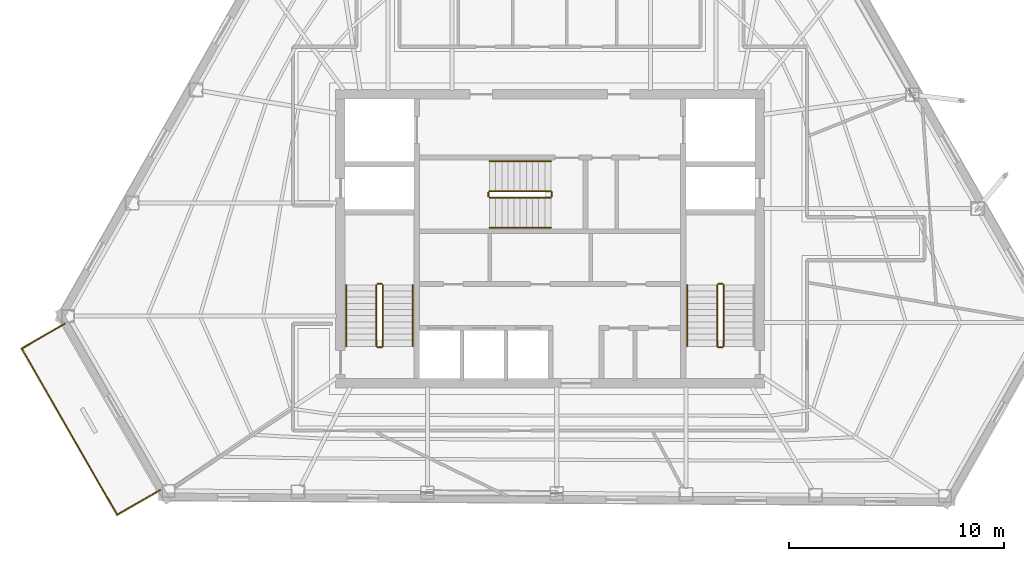
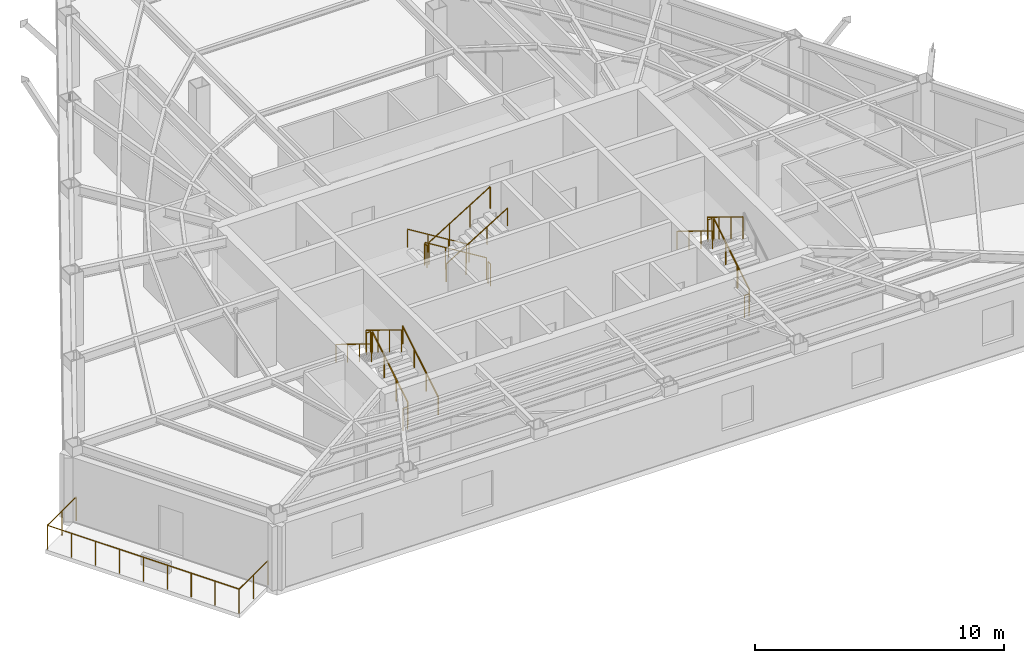
# One storey, part 10 of 11: 20 railings.
"""IFC4 building model written with IfcOpenShell, lengths in metres."""

from ifc_helpers import new_model, si_unit, direction, frame, origin, origin_2d, place, context, subcontext, project, spatial, circle, extrude, material, type_object, element, save


model = new_model("IFC4")

# Units and contexts
model_context = context("Model", 3, precision=1e-05, world=origin(), true_north=direction((0.0, 1.0)))
body_context = subcontext(model_context, "Body", "Model", "MODEL_VIEW")
ifc_project = project(units=[si_unit("LENGTHUNIT", "METRE"), si_unit("AREAUNIT", "SQUARE_METRE"), si_unit("VOLUMEUNIT", "CUBIC_METRE"), si_unit("PLANEANGLEUNIT", "RADIAN"), si_unit("MASSUNIT", "GRAM", prefix="KILO")], contexts=[model_context])

# Site, building, storey
site_placement = place(None, origin())
site = spatial("IfcSite", under=ifc_project, at=site_placement, CompositionType="ELEMENT")
building_placement = place(site_placement, origin())
building = spatial("IfcBuilding", under=site, at=building_placement, Name="Kavelnor Concourse Tower", CompositionType="ELEMENT")
storey_placement = place(building_placement, frame((0.0, 0.0, 172.699951171875)))
storey = spatial("IfcBuildingStorey", under=building, at=storey_placement, Name="L43", CompositionType="ELEMENT", Elevation=172.699951171875)

# Railings
ifc_material_1 = material(Name="Steel Grade 350", Category="steel")
railing_type_1 = type_object("IfcRailingType", Name="RLG-GUARD-1100", PredefinedType="GUARDRAIL", material=ifc_material_1)
railing_1_placement = place(storey_placement, frame((30.22998046875, 11.10009765625, 0.175048828125)))
element("IfcRailing", 1, at=railing_1_placement, inside=storey, type_object=railing_type_1, Name="L43 ST1 stair guard 1", PredefinedType="GUARDRAIL", context=body_context, shape_type="SweptSolid", body=[
    extrude(circle(Radius=0.02392578125, at=origin_2d()), frame((0.0, 0.0, 1.076171875), z_axis=(0.0, 0.852159232446, 0.523282564737), x_axis=(-1.0, 0.0, 0.0)), (0.0, 0.0, 1.0), 3.34423828125),
    extrude(circle(Radius=0.02099609375, at=origin_2d()), origin(), (0.0, 0.0, 1.0), 1.052001953125),
    extrude(circle(Radius=0.02099609375, at=origin_2d()), frame((0.0, 0.949951171875, 0.583251953125)), (0.0, 0.0, 1.0), 1.052001953125),
    extrude(circle(Radius=0.02099609375, at=origin_2d()), frame((0.0, 1.89990234375, 1.166748046875)), (0.0, 0.0, 1.0), 1.052001953125),
    extrude(circle(Radius=0.02099609375, at=origin_2d()), frame((0.0, 2.849853515625, 1.75)), (0.0, 0.0, 1.0), 1.052001953125),
])
railing_2_placement = place(storey_placement, frame((30.179931640625, 14.0, 1.925048828125)))
element("IfcRailing", 2, at=railing_2_placement, inside=storey, type_object=railing_type_1, Name="L43 ST1 stair guard 2", PredefinedType="GUARDRAIL", context=body_context, shape_type="SweptSolid", body=[
    extrude(circle(Radius=0.02392578125, at=origin_2d()), frame((0.0, 0.0, 1.076171875), z_axis=(-1.0, 0.0, 0.0), x_axis=(0.0, -1.0, 0.0)), (0.0, 0.0, 1.0), 0.199951171875),
    extrude(circle(Radius=0.02099609375, at=origin_2d()), origin(), (0.0, 0.0, 1.0), 1.052001953125),
    extrude(circle(Radius=0.02099609375, at=origin_2d()), frame((-0.199951171875, 0.0, 0.0)), (0.0, 0.0, 1.0), 1.052001953125),
])
railing_3_placement = place(storey_placement, frame((29.929931640625, 13.949951171875, 2.10009765625)))
element("IfcRailing", 3, at=railing_3_placement, inside=storey, type_object=railing_type_1, Name="L43 ST1 stair guard 3", PredefinedType="GUARDRAIL", context=body_context, shape_type="SweptSolid", body=[
    extrude(circle(Radius=0.02392578125, at=origin_2d()), frame((0.0, 0.0, 1.076171875), z_axis=(0.0, -0.852159232446, 0.523282564737), x_axis=(1.0, 0.0, 0.0)), (0.0, 0.0, 1.0), 3.34423828125),
    extrude(circle(Radius=0.02099609375, at=origin_2d()), origin(), (0.0, 0.0, 1.0), 1.052001953125),
    extrude(circle(Radius=0.02099609375, at=origin_2d()), frame((0.0, -0.949951171875, 0.583251953125)), (0.0, 0.0, 1.0), 1.052001953125),
    extrude(circle(Radius=0.02099609375, at=origin_2d()), frame((0.0, -1.89990234375, 1.166748046875)), (0.0, 0.0, 1.0), 1.052001953125),
    extrude(circle(Radius=0.02099609375, at=origin_2d()), frame((0.0, -2.849853515625, 1.75)), (0.0, 0.0, 1.0), 1.052001953125),
])
railing_4_placement = place(storey_placement, frame((30.179931640625, 11.050048828125, 0.0)))
element("IfcRailing", 4, at=railing_4_placement, inside=storey, type_object=railing_type_1, Name="L43 ST1 stair guard 4", PredefinedType="GUARDRAIL", context=body_context, shape_type="SweptSolid", body=[
    extrude(circle(Radius=0.02392578125, at=origin_2d()), frame((0.0, 0.0, 1.076171875), z_axis=(-1.0, 0.0, 0.0), x_axis=(0.0, -1.0, 0.0)), (0.0, 0.0, 1.0), 0.199951171875),
    extrude(circle(Radius=0.02099609375, at=origin_2d()), origin(), (0.0, 0.0, 1.0), 1.052001953125),
    extrude(circle(Radius=0.02099609375, at=origin_2d()), frame((-0.199951171875, 0.0, 0.0)), (0.0, 0.0, 1.0), 1.052001953125),
])
railing_5_placement = place(storey_placement, frame((46.070068359375, 11.10009765625, 0.175048828125)))
element("IfcRailing", 5, at=railing_5_placement, inside=storey, type_object=railing_type_1, Name="L43 ST2 stair guard 1", PredefinedType="GUARDRAIL", context=body_context, shape_type="SweptSolid", body=[
    extrude(circle(Radius=0.02392578125, at=origin_2d()), frame((0.0, 0.0, 1.076171875), z_axis=(0.0, 0.852159232446, 0.523282564737), x_axis=(-1.0, 0.0, 0.0)), (0.0, 0.0, 1.0), 3.34423828125),
    extrude(circle(Radius=0.02099609375, at=origin_2d()), origin(), (0.0, 0.0, 1.0), 1.052001953125),
    extrude(circle(Radius=0.02099609375, at=origin_2d()), frame((0.0, 0.949951171875, 0.583251953125)), (0.0, 0.0, 1.0), 1.052001953125),
    extrude(circle(Radius=0.02099609375, at=origin_2d()), frame((0.0, 1.89990234375, 1.166748046875)), (0.0, 0.0, 1.0), 1.052001953125),
    extrude(circle(Radius=0.02099609375, at=origin_2d()), frame((0.0, 2.849853515625, 1.75)), (0.0, 0.0, 1.0), 1.052001953125),
])
railing_6_placement = place(storey_placement, frame((46.02001953125, 14.0, 1.925048828125)))
element("IfcRailing", 6, at=railing_6_placement, inside=storey, type_object=railing_type_1, Name="L43 ST2 stair guard 2", PredefinedType="GUARDRAIL", context=body_context, shape_type="SweptSolid", body=[
    extrude(circle(Radius=0.02392578125, at=origin_2d()), frame((0.0, 0.0, 1.076171875), z_axis=(-1.0, 0.0, 0.0), x_axis=(0.0, -1.0, 0.0)), (0.0, 0.0, 1.0), 0.199951171875),
    extrude(circle(Radius=0.02099609375, at=origin_2d()), origin(), (0.0, 0.0, 1.0), 1.052001953125),
    extrude(circle(Radius=0.02099609375, at=origin_2d()), frame((-0.199951171875, 0.0, 0.0)), (0.0, 0.0, 1.0), 1.052001953125),
])
railing_7_placement = place(storey_placement, frame((45.77001953125, 13.949951171875, 2.10009765625)))
element("IfcRailing", 7, at=railing_7_placement, inside=storey, type_object=railing_type_1, Name="L43 ST2 stair guard 3", PredefinedType="GUARDRAIL", context=body_context, shape_type="SweptSolid", body=[
    extrude(circle(Radius=0.02392578125, at=origin_2d()), frame((0.0, 0.0, 1.076171875), z_axis=(0.0, -0.852159232446, 0.523282564737), x_axis=(1.0, 0.0, 0.0)), (0.0, 0.0, 1.0), 3.34423828125),
    extrude(circle(Radius=0.02099609375, at=origin_2d()), origin(), (0.0, 0.0, 1.0), 1.052001953125),
    extrude(circle(Radius=0.02099609375, at=origin_2d()), frame((0.0, -0.949951171875, 0.583251953125)), (0.0, 0.0, 1.0), 1.052001953125),
    extrude(circle(Radius=0.02099609375, at=origin_2d()), frame((0.0, -1.89990234375, 1.166748046875)), (0.0, 0.0, 1.0), 1.052001953125),
    extrude(circle(Radius=0.02099609375, at=origin_2d()), frame((0.0, -2.849853515625, 1.75)), (0.0, 0.0, 1.0), 1.052001953125),
])
railing_8_placement = place(storey_placement, frame((46.02001953125, 11.050048828125, 0.0)))
element("IfcRailing", 8, at=railing_8_placement, inside=storey, type_object=railing_type_1, Name="L43 ST2 stair guard 4", PredefinedType="GUARDRAIL", context=body_context, shape_type="SweptSolid", body=[
    extrude(circle(Radius=0.02392578125, at=origin_2d()), frame((0.0, 0.0, 1.076171875), z_axis=(-1.0, 0.0, 0.0), x_axis=(0.0, -1.0, 0.0)), (0.0, 0.0, 1.0), 0.199951171875),
    extrude(circle(Radius=0.02099609375, at=origin_2d()), origin(), (0.0, 0.0, 1.0), 1.052001953125),
    extrude(circle(Radius=0.02099609375, at=origin_2d()), frame((-0.199951171875, 0.0, 0.0)), (0.0, 0.0, 1.0), 1.052001953125),
])
railing_9_placement = place(storey_placement, frame((38.0400390625, 18.31005859375, 0.175048828125)))
element("IfcRailing", 9, at=railing_9_placement, inside=storey, type_object=railing_type_1, Name="L43 ST3 stair guard 1", PredefinedType="GUARDRAIL", context=body_context, shape_type="SweptSolid", body=[
    extrude(circle(Radius=0.02392578125, at=origin_2d()), frame((0.0, 0.0, 1.076171875), z_axis=(-0.852179220489, 0.0, 0.52325001306), x_axis=(0.0, -1.0, 0.0)), (0.0, 0.0, 1.0), 3.344482421875),
    extrude(circle(Radius=0.02099609375, at=origin_2d()), origin(), (0.0, 0.0, 1.0), 1.052001953125),
    extrude(circle(Radius=0.02099609375, at=origin_2d()), frame((-0.949951171875, 0.0, 0.583251953125)), (0.0, 0.0, 1.0), 1.052001953125),
    extrude(circle(Radius=0.02099609375, at=origin_2d()), frame((-1.900146484375, 0.0, 1.166748046875)), (0.0, 0.0, 1.0), 1.052001953125),
    extrude(circle(Radius=0.02099609375, at=origin_2d()), frame((-2.85009765625, 0.0, 1.75)), (0.0, 0.0, 1.0), 1.052001953125),
])
railing_10_placement = place(storey_placement, frame((35.139892578125, 18.260009765625, 1.925048828125)))
element("IfcRailing", 10, at=railing_10_placement, inside=storey, type_object=railing_type_1, Name="L43 ST3 stair guard 2", PredefinedType="GUARDRAIL", context=body_context, shape_type="SweptSolid", body=[
    extrude(circle(Radius=0.02392578125, at=origin_2d()), frame((0.0, 0.0, 1.076171875), z_axis=(0.0, -1.0, 0.0), x_axis=(1.0, 0.0, 0.0)), (0.0, 0.0, 1.0), 0.199951171875),
    extrude(circle(Radius=0.02099609375, at=origin_2d()), origin(), (0.0, 0.0, 1.0), 1.052001953125),
    extrude(circle(Radius=0.02099609375, at=origin_2d()), frame((0.0, -0.199951171875, 0.0)), (0.0, 0.0, 1.0), 1.052001953125),
])
railing_11_placement = place(storey_placement, frame((35.18994140625, 18.010009765625, 2.10009765625)))
element("IfcRailing", 11, at=railing_11_placement, inside=storey, type_object=railing_type_1, Name="L43 ST3 stair guard 3", PredefinedType="GUARDRAIL", context=body_context, shape_type="SweptSolid", body=[
    extrude(circle(Radius=0.02392578125, at=origin_2d()), frame((0.0, 0.0, 1.076171875), z_axis=(0.852179220489, 0.0, 0.52325001306), x_axis=(0.0, 1.0, 0.0)), (0.0, 0.0, 1.0), 3.344482421875),
    extrude(circle(Radius=0.02099609375, at=origin_2d()), origin(), (0.0, 0.0, 1.0), 1.052001953125),
    extrude(circle(Radius=0.02099609375, at=origin_2d()), frame((0.949951171875, 0.0, 0.583251953125)), (0.0, 0.0, 1.0), 1.052001953125),
    extrude(circle(Radius=0.02099609375, at=origin_2d()), frame((1.900146484375, 0.0, 1.166748046875)), (0.0, 0.0, 1.0), 1.052001953125),
    extrude(circle(Radius=0.02099609375, at=origin_2d()), frame((2.85009765625, 0.0, 1.75)), (0.0, 0.0, 1.0), 1.052001953125),
])
railing_12_placement = place(storey_placement, frame((38.090087890625, 18.260009765625, 0.0)))
element("IfcRailing", 12, at=railing_12_placement, inside=storey, type_object=railing_type_1, Name="L43 ST3 stair guard 4", PredefinedType="GUARDRAIL", context=body_context, shape_type="SweptSolid", body=[
    extrude(circle(Radius=0.02392578125, at=origin_2d()), frame((0.0, 0.0, 1.076171875), z_axis=(0.0, -1.0, 0.0), x_axis=(1.0, 0.0, 0.0)), (0.0, 0.0, 1.0), 0.199951171875),
    extrude(circle(Radius=0.02099609375, at=origin_2d()), origin(), (0.0, 0.0, 1.0), 1.052001953125),
    extrude(circle(Radius=0.02099609375, at=origin_2d()), frame((0.0, -0.199951171875, 0.0)), (0.0, 0.0, 1.0), 1.052001953125),
])
railing_type_2 = type_object("IfcRailingType", Name="RLG-HANDRAIL-900", PredefinedType="HANDRAIL", material=ifc_material_1)
railing_13_placement = place(storey_placement, frame((31.6298828125, 11.10009765625, 0.175048828125)))
element("IfcRailing", 13, at=railing_13_placement, inside=storey, type_object=railing_type_2, Name="L43 ST1 stair handrail 1", PredefinedType="HANDRAIL", context=body_context, shape_type="SweptSolid", body=[
    extrude(circle(Radius=0.02392578125, at=origin_2d()), frame((0.0, 0.0, 0.8759765625), z_axis=(0.0, 0.852159232446, 0.523282564737), x_axis=(-1.0, 0.0, 0.0)), (0.0, 0.0, 1.0), 3.34423828125),
    extrude(circle(Radius=0.02099609375, at=origin_2d()), origin(), (0.0, 0.0, 1.0), 0.851806640625),
    extrude(circle(Radius=0.02099609375, at=origin_2d()), frame((0.0, 0.949951171875, 0.583251953125)), (0.0, 0.0, 1.0), 0.851806640625),
    extrude(circle(Radius=0.02099609375, at=origin_2d()), frame((0.0, 1.89990234375, 1.166748046875)), (0.0, 0.0, 1.0), 0.851806640625),
    extrude(circle(Radius=0.02099609375, at=origin_2d()), frame((0.0, 2.849853515625, 1.75)), (0.0, 0.0, 1.0), 0.851806640625),
])
for number, where, name in (
    (14, (28.530029296875, 13.949951171875, 2.10009765625), "L43 ST1 stair handrail 2"),
    (15, (44.3701171875, 13.949951171875, 2.10009765625), "L43 ST2 stair handrail 2"),
):
    element("IfcRailing", number, at=place(storey_placement, frame(where)), inside=storey, type_object=railing_type_2, Name=name, PredefinedType="HANDRAIL", context=body_context, shape_type="SweptSolid", body=[
        extrude(circle(Radius=0.02392578125, at=origin_2d()), frame((0.0, 0.0, 0.8759765625), z_axis=(0.0, -0.852159232446, 0.523282564737), x_axis=(1.0, 0.0, 0.0)), (0.0, 0.0, 1.0), 3.34423828125),
        extrude(circle(Radius=0.02099609375, at=origin_2d()), origin(), (0.0, 0.0, 1.0), 0.851806640625),
        extrude(circle(Radius=0.02099609375, at=origin_2d()), frame((0.0, -0.949951171875, 0.583251953125)), (0.0, 0.0, 1.0), 0.851806640625),
        extrude(circle(Radius=0.02099609375, at=origin_2d()), frame((0.0, -1.89990234375, 1.166748046875)), (0.0, 0.0, 1.0), 0.851806640625),
        extrude(circle(Radius=0.02099609375, at=origin_2d()), frame((0.0, -2.849853515625, 1.75)), (0.0, 0.0, 1.0), 0.851806640625),
    ])
railing_14_placement = place(storey_placement, frame((38.0400390625, 19.7099609375, 0.175048828125)))
element("IfcRailing", 16, at=railing_14_placement, inside=storey, type_object=railing_type_2, Name="L43 ST3 stair handrail 1", PredefinedType="HANDRAIL", context=body_context, shape_type="SweptSolid", body=[
    extrude(circle(Radius=0.02392578125, at=origin_2d()), frame((0.0, 0.0, 0.8759765625), z_axis=(-0.852179220489, 0.0, 0.52325001306), x_axis=(0.0, -1.0, 0.0)), (0.0, 0.0, 1.0), 3.344482421875),
    extrude(circle(Radius=0.02099609375, at=origin_2d()), origin(), (0.0, 0.0, 1.0), 0.851806640625),
    extrude(circle(Radius=0.02099609375, at=origin_2d()), frame((-0.949951171875, 0.0, 0.583251953125)), (0.0, 0.0, 1.0), 0.851806640625),
    extrude(circle(Radius=0.02099609375, at=origin_2d()), frame((-1.900146484375, 0.0, 1.166748046875)), (0.0, 0.0, 1.0), 0.851806640625),
    extrude(circle(Radius=0.02099609375, at=origin_2d()), frame((-2.85009765625, 0.0, 1.75)), (0.0, 0.0, 1.0), 0.851806640625),
])
railing_15_placement = place(storey_placement, frame((35.18994140625, 16.610107421875, 2.10009765625)))
element("IfcRailing", 17, at=railing_15_placement, inside=storey, type_object=railing_type_2, Name="L43 ST3 stair handrail 2", PredefinedType="HANDRAIL", context=body_context, shape_type="SweptSolid", body=[
    extrude(circle(Radius=0.02392578125, at=origin_2d()), frame((0.0, 0.0, 0.8759765625), z_axis=(0.852179220489, 0.0, 0.52325001306), x_axis=(0.0, 1.0, 0.0)), (0.0, 0.0, 1.0), 3.344482421875),
    extrude(circle(Radius=0.02099609375, at=origin_2d()), origin(), (0.0, 0.0, 1.0), 0.851806640625),
    extrude(circle(Radius=0.02099609375, at=origin_2d()), frame((0.949951171875, 0.0, 0.583251953125)), (0.0, 0.0, 1.0), 0.851806640625),
    extrude(circle(Radius=0.02099609375, at=origin_2d()), frame((1.900146484375, 0.0, 1.166748046875)), (0.0, 0.0, 1.0), 0.851806640625),
    extrude(circle(Radius=0.02099609375, at=origin_2d()), frame((2.85009765625, 0.0, 1.75)), (0.0, 0.0, 1.0), 0.851806640625),
])
ifc_material_2 = material(Name="Architectural bronze-anodised aluminium", Category="aluminium")
railing_type_3 = type_object("IfcRailingType", Name="RLG-TERRACE-1200", PredefinedType="BALUSTRADE", material=ifc_material_2)
railing_16_placement = place(storey_placement, frame((15.440185546875, 12.138671875, 0.0)))
element("IfcRailing", 18, at=railing_16_placement, inside=storey, type_object=railing_type_3, Name="L43 Spiral Terrace Guardrail L", PredefinedType="BALUSTRADE", context=body_context, shape_type="SweptSolid", body=[
    extrude(circle(Radius=0.02392578125, at=origin_2d()), frame((0.0, 0.0, 1.17578125), z_axis=(-0.867169913314, -0.498012390853, 0.0), x_axis=(0.498012390853, -0.867169913314, 0.0)), (0.0, 0.0, 1.0), 2.300048828125),
    extrude(circle(Radius=0.02099609375, at=origin_2d()), origin(), (0.0, 0.0, 1.0), 1.15185546875),
    extrude(circle(Radius=0.02099609375, at=origin_2d()), frame((-0.997314453125, -0.57275390625, 0.0)), (0.0, 0.0, 1.0), 1.15185546875),
    extrude(circle(Radius=0.02099609375, at=origin_2d()), frame((-1.99462890625, -1.1455078125, 0.0)), (0.0, 0.0, 1.0), 1.15185546875),
])
railing_17_placement = place(storey_placement, frame((13.445556640625, 10.9931640625, 0.0)))
element("IfcRailing", 19, at=railing_17_placement, inside=storey, type_object=railing_type_3, Name="L43 Spiral Terrace Guardrail F", PredefinedType="BALUSTRADE", context=body_context, shape_type="SweptSolid", body=[
    extrude(circle(Radius=0.02392578125, at=origin_2d()), frame((0.0, 0.0, 1.17578125), z_axis=(0.498003841127, -0.867174823333, 0.0), x_axis=(0.867174823333, 0.498003841127, 0.0)), (0.0, 0.0, 1.0), 8.90478515625),
    extrude(circle(Radius=0.02099609375, at=origin_2d()), origin(), (0.0, 0.0, 1.0), 1.15185546875),
    extrude(circle(Radius=0.02099609375, at=origin_2d()), frame((0.55419921875, -0.96533203125, 0.0)), (0.0, 0.0, 1.0), 1.15185546875),
    extrude(circle(Radius=0.02099609375, at=origin_2d()), frame((1.108642578125, -1.930419921875, 0.0)), (0.0, 0.0, 1.0), 1.15185546875),
    extrude(circle(Radius=0.02099609375, at=origin_2d()), frame((1.6630859375, -2.895751953125, 0.0)), (0.0, 0.0, 1.0), 1.15185546875),
    extrude(circle(Radius=0.02099609375, at=origin_2d()), frame((2.21728515625, -3.86083984375, 0.0)), (0.0, 0.0, 1.0), 1.15185546875),
    extrude(circle(Radius=0.02099609375, at=origin_2d()), frame((2.771484375, -4.826171875, 0.0)), (0.0, 0.0, 1.0), 1.15185546875),
    extrude(circle(Radius=0.02099609375, at=origin_2d()), frame((3.325927734375, -5.79150390625, 0.0)), (0.0, 0.0, 1.0), 1.15185546875),
    extrude(circle(Radius=0.02099609375, at=origin_2d()), frame((3.88037109375, -6.756591796875, 0.0)), (0.0, 0.0, 1.0), 1.15185546875),
    extrude(circle(Radius=0.02099609375, at=origin_2d()), frame((4.4345703125, -7.721923828125, 0.0)), (0.0, 0.0, 1.0), 1.15185546875),
])
railing_18_placement = place(storey_placement, frame((17.880126953125, 3.271240234375, 0.0)))
element("IfcRailing", 20, at=railing_18_placement, inside=storey, type_object=railing_type_3, Name="L43 Spiral Terrace Guardrail R", PredefinedType="BALUSTRADE", context=body_context, shape_type="SweptSolid", body=[
    extrude(circle(Radius=0.02392578125, at=origin_2d()), frame((0.0, 0.0, 1.17578125), z_axis=(0.867215750151, 0.497932568416, 0.0), x_axis=(-0.497932568416, 0.867215750151, 0.0)), (0.0, 0.0, 1.0), 2.300048828125),
    extrude(circle(Radius=0.02099609375, at=origin_2d()), origin(), (0.0, 0.0, 1.0), 1.15185546875),
    extrude(circle(Radius=0.02099609375, at=origin_2d()), frame((0.997314453125, 0.57275390625, 0.0)), (0.0, 0.0, 1.0), 1.15185546875),
    extrude(circle(Radius=0.02099609375, at=origin_2d()), frame((1.99462890625, 1.145263671875, 0.0)), (0.0, 0.0, 1.0), 1.15185546875),
])

save(model, "model.ifc")
